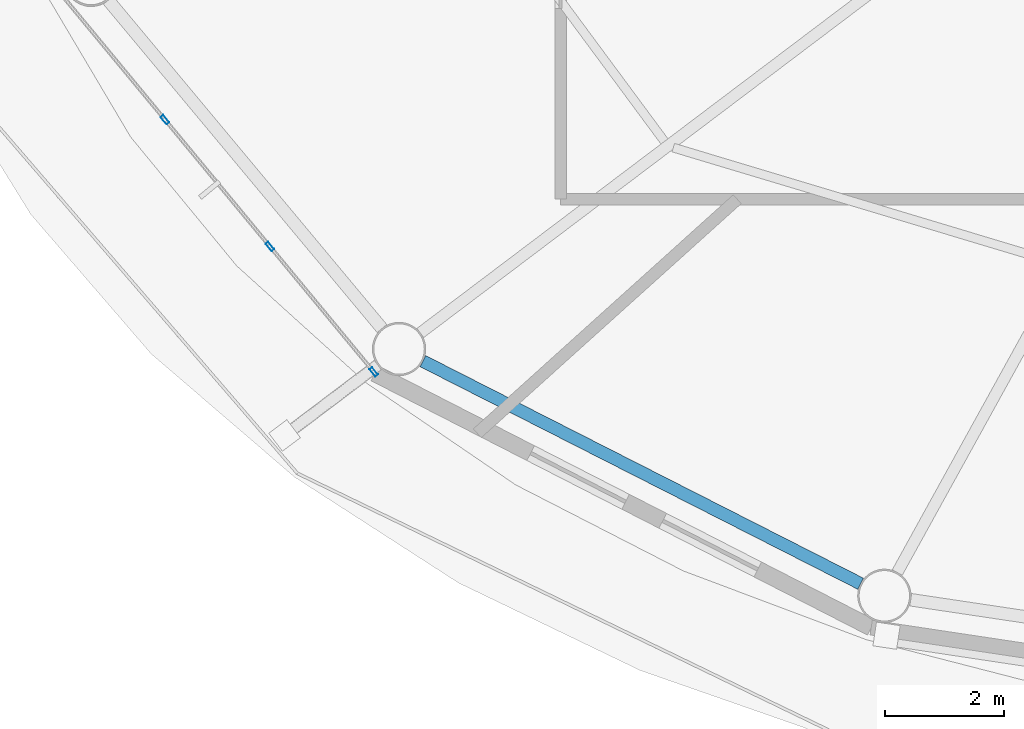
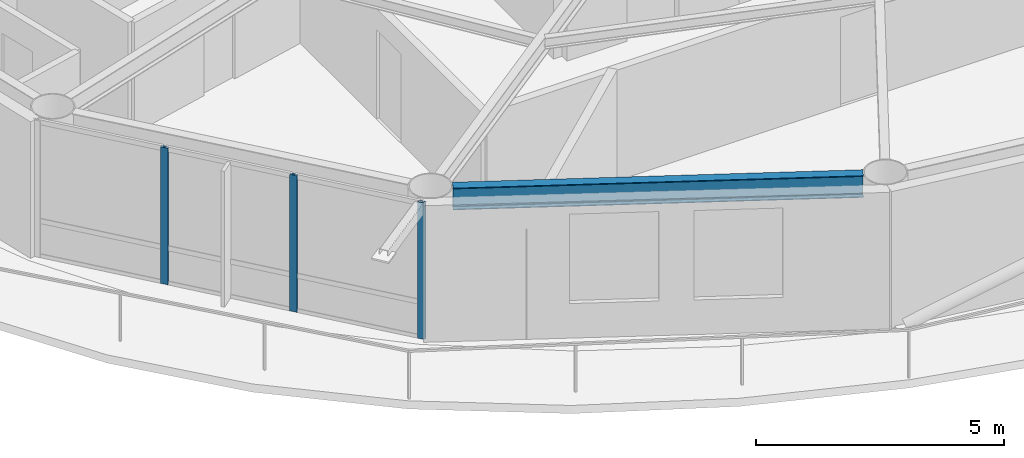
# One storey, part 2 of 22: 3 members, 1 beam, 1 element without a shape of its own.
"""IFC4 building model written with IfcOpenShell, lengths in metres."""

from ifc_helpers import new_model, si_unit, direction, frame, origin, origin_2d, place, context, subcontext, project, spatial, hollow_rectangle, i_section, extrude, material, layer, layer_set, material_profile, profile_set, type_object, element, aggregate, save


model = new_model("IFC4")

# Units and contexts
model_context = context("Model", 3, precision=1e-05, world=origin(), true_north=direction((0.0, 1.0)))
body_context = subcontext(model_context, "Body", "Model", "MODEL_VIEW")
ifc_project = project(units=[si_unit("LENGTHUNIT", "METRE"), si_unit("AREAUNIT", "SQUARE_METRE"), si_unit("VOLUMEUNIT", "CUBIC_METRE"), si_unit("PLANEANGLEUNIT", "RADIAN"), si_unit("MASSUNIT", "GRAM", prefix="KILO")], contexts=[model_context])

# Site, building, storey
site_placement = place(None, origin())
site = spatial("IfcSite", under=ifc_project, at=site_placement, CompositionType="ELEMENT")
building_placement = place(site_placement, origin())
building = spatial("IfcBuilding", under=site, at=building_placement, Name="Sarneth Arch Tower", CompositionType="ELEMENT")
storey_placement = place(building_placement, frame((0.0, 0.0, 213.60009765625)))
storey = spatial("IfcBuildingStorey", under=building, at=storey_placement, Name="L54", CompositionType="ELEMENT", Elevation=213.60009765625)

# Beam
ifc_material_1 = material(Name="Steel S355", Category="steel")
ifc_material_profile_1 = material_profile(ifc_material_1, i_section(OverallWidth=0.2109375, OverallDepth=0.5390625, WebThickness=0.01171875, FlangeThickness=0.018798828125, FilletRadius=0.01806640625, at=origin_2d()), Name="W530x109")
ifc_profile_set_1 = profile_set([ifc_material_profile_1], Name="Steel S355")
beam_type = type_object("IfcBeamType", Name="BM-RAD-530B", PredefinedType="BEAM", material=ifc_profile_set_1)
beam_placement = place(storey_placement, frame((30.42578125, 28.219482421875, 3.09033203125), z_axis=(0.891376248079, -0.453264144138, 0.0), x_axis=(0.453264144138, 0.891376248079, 0.0)))
element("IfcBeam", 1, at=beam_placement, inside=storey, type_object=beam_type, Name="L54 Perimeter spandrel beam 11", PredefinedType="BEAM", context=body_context, shape_type="SweptSolid", body=[
    extrude(i_section(OverallWidth=0.2109375, OverallDepth=0.5390625, WebThickness=0.01171875, FlangeThickness=0.018798828125, FilletRadius=0.01806640625, at=origin_2d()), origin(), (0.0, 0.0, 1.0), 8.281982421875),
])

# Curtain wall, members
ifc_material_2 = material(Name="Anodised aluminium Type AA25 and solar-control low-e laminated IGU", Category="aluminium")
ifc_layer = layer(ifc_material_2, 0.179931640625)
ifc_layer_set = layer_set([ifc_layer], Name="Anodised aluminium Type AA25 and solar-control low-e laminated IGU")
curtain_wall_type = type_object("IfcCurtainWallType", Name="CW-RES-HIGH", PredefinedType="NOTDEFINED", material=ifc_layer_set)
curtain_wall_placement = place(storey_placement, origin())
curtain_wall = element("IfcCurtainWall", 2, at=curtain_wall_placement, inside=storey, type_object=curtain_wall_type, Name="L54 Unitised curtain wall facet 10", PredefinedType="NOTDEFINED")
ifc_material_3 = material(Name="Anodised Aluminium 6063-T6", Category="aluminium")
ifc_material_profile_2 = material_profile(ifc_material_3, hollow_rectangle(XDim=0.06005859375, YDim=0.159912109375, WallThickness=0.00390625, at=origin_2d()), Name="AL-MULL-160x60x4")
ifc_profile_set_2 = profile_set([ifc_material_profile_2], Name="Anodised Aluminium 6063-T6")
member_type = type_object("IfcMemberType", Name="CW-MULLION", PredefinedType="MULLION", material=ifc_profile_set_2)
member_1_placement = place(storey_placement, frame((26.07666015625, 32.29150390625, 0.0), z_axis=(0.0, 0.0, 1.0), x_axis=(0.770359245933, 0.637610094184, 0.0)))
member_1 = element("IfcMember", 3, at=member_1_placement, type_object=member_type, Name="CW-SYS-6 mullion 2", PredefinedType="MULLION", context=body_context, shape_type="SweptSolid", body=[
    extrude(hollow_rectangle(XDim=0.06005859375, YDim=0.159912109375, WallThickness=0.00390625, at=origin_2d()), origin(), (0.0, 0.0, 1.0), 3.35986328125),
])
member_2_placement = place(storey_placement, frame((27.84716796875, 30.15234375, 0.0), z_axis=(0.0, 0.0, 1.0), x_axis=(0.770359245933, 0.637610094184, 0.0)))
member_2 = element("IfcMember", 4, at=member_2_placement, type_object=member_type, Name="CW-SYS-6 mullion 3", PredefinedType="MULLION", context=body_context, shape_type="SweptSolid", body=[
    extrude(hollow_rectangle(XDim=0.06005859375, YDim=0.159912109375, WallThickness=0.00390625, at=origin_2d()), origin(), (0.0, 0.0, 1.0), 3.35986328125),
])
member_3_placement = place(storey_placement, frame((29.598388671875, 28.03662109375, 0.0), z_axis=(0.0, 0.0, 1.0), x_axis=(0.770359245933, 0.637610094184, 0.0)))
member_3 = element("IfcMember", 5, at=member_3_placement, type_object=member_type, Name="CW-SYS-6 mullion 4", PredefinedType="MULLION", context=body_context, shape_type="SweptSolid", body=[
    extrude(hollow_rectangle(XDim=0.06005859375, YDim=0.159912109375, WallThickness=0.00390625, at=origin_2d()), origin(), (0.0, 0.0, 1.0), 3.35986328125),
])
aggregate(curtain_wall, [member_1, member_2, member_3])

save(model, "model.ifc")
